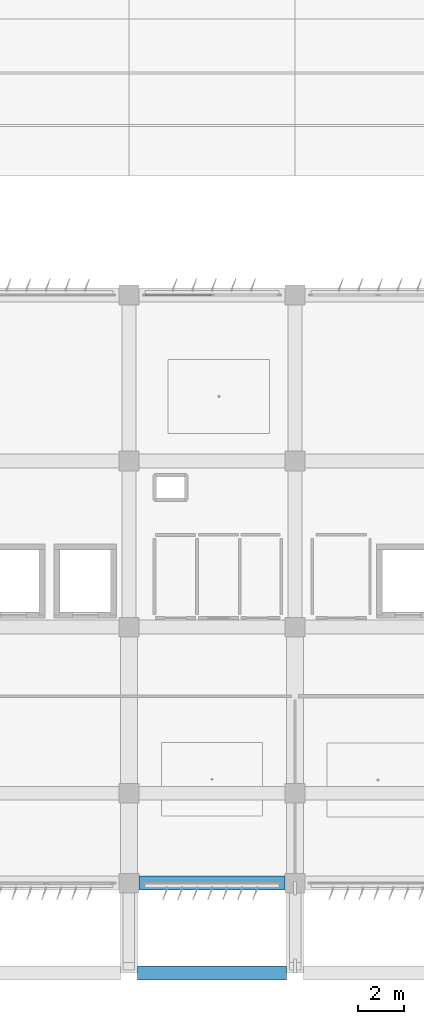
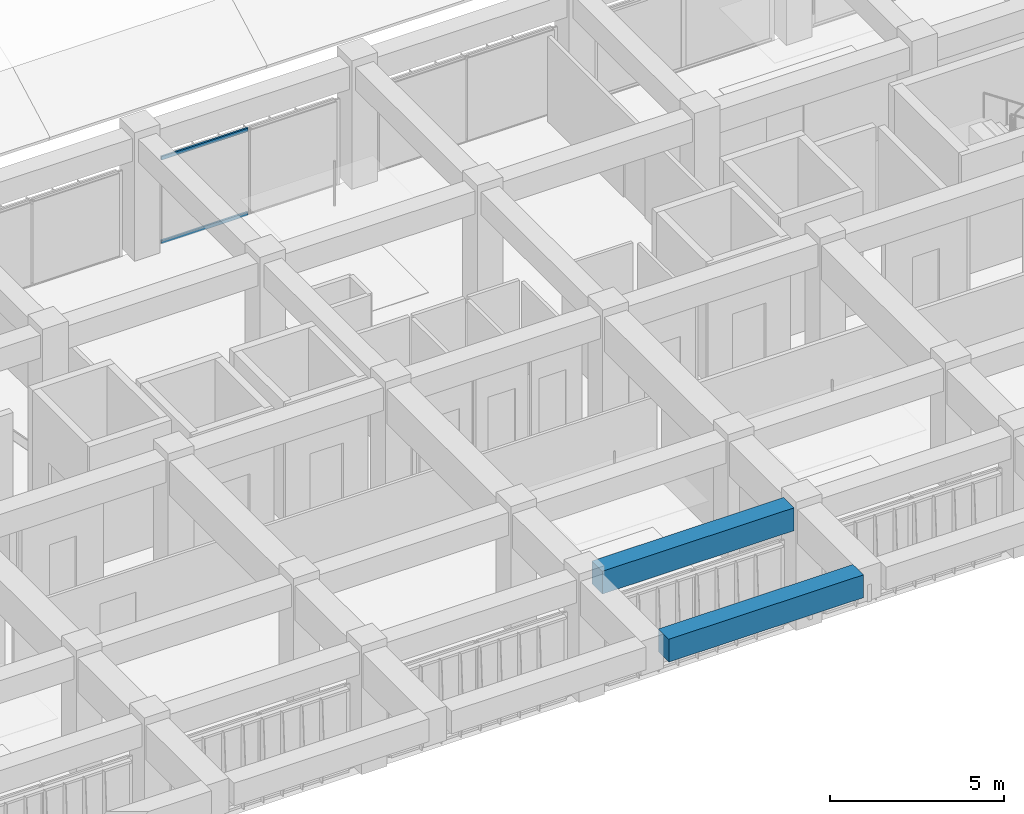
# One storey, part 15 of 56: 2 beams, 2 members, 1 element without a shape of its own.
"""IFC4 building model written with IfcOpenShell, lengths in metres."""

import ifcopenshell
import ifcopenshell.guid

model = None  # the IFC model being written
_history = None  # IfcOwnerHistory: only IFC2X3 demands one
_inside = {}  # id of a spatial element -> (the spatial element, [elements in it])
_under = {}  # id of a project, library or spatial element -> (it, [spatial elements below it])
_declared = {}  # id of a project -> (the project, [libraries it declares])
_typed = {}  # id of a type object -> (the type object, [elements of that type])
_made_of = {}  # id of a material, layer set ... -> (it, [elements and type objects made of it])


def new_model(schema):
    """Start an empty IFC model of exactly this schema.

    Asked for "IFC4X3", IfcOpenShell would pick the latest addendum, in which some entities
    have other attributes; the version numbers below select the first issue.
    IFC2X3 requires an IfcOwnerHistory on every rooted entity: one is made here for all.
    """
    global model, _history
    if schema == "IFC4X3":
        model = ifcopenshell.file(schema_version=(4, 3, 0, 0))
    else:
        model = ifcopenshell.file(schema=schema)
    _inside.clear()
    _under.clear()
    _declared.clear()
    _typed.clear()
    _made_of.clear()
    _history = None
    if model.schema == "IFC2X3":
        org = make("IfcOrganization", Name="unknown")
        user = make(
            "IfcPersonAndOrganization",
            ThePerson=make("IfcPerson", FamilyName="unknown"),
            TheOrganization=org,
        )
        app = make(
            "IfcApplication",
            ApplicationDeveloper=org,
            Version="unknown",
            ApplicationFullName="unknown",
            ApplicationIdentifier="unknown",
        )
        _history = make(
            "IfcOwnerHistory",
            OwningUser=user,
            OwningApplication=app,
            ChangeAction="ADDED",
            CreationDate=0,
        )
    return model


def make(cls, **values):
    """One entity of the class cls with the attributes given. An attribute that is None is left unset."""
    return model.create_entity(
        cls, **{name: value for name, value in values.items() if value is not None}
    )


def rooted(cls, **values):
    """An entity with a GlobalId (a new one), such as an element, a storey or a relation."""
    return make(cls, GlobalId=ifcopenshell.guid.new(), OwnerHistory=_history, **values)


def si_unit(unit_type, name, prefix=None):
    """IfcSIUnit, for example si_unit("LENGTHUNIT", "METRE", prefix="MILLI")."""
    return make("IfcSIUnit", UnitType=unit_type, Prefix=prefix, Name=name)


def assignment(units):
    """IfcUnitAssignment: the units of a project."""
    return None if units is None else make("IfcUnitAssignment", Units=units)


def point(xyz):
    """IfcCartesianPoint."""
    return None if xyz is None else make("IfcCartesianPoint", Coordinates=xyz)


def direction(xyz):
    """IfcDirection."""
    return None if xyz is None else make("IfcDirection", DirectionRatios=xyz)


def frame(location, z_axis=None, x_axis=None):
    """IfcAxis2Placement3D, a coordinate frame: its origin and axes. An axis left out is left unset."""
    return make(
        "IfcAxis2Placement3D",
        Location=point(location),
        Axis=direction(z_axis),
        RefDirection=direction(x_axis),
    )


def frame_2d(location, x_axis=None):
    """IfcAxis2Placement2D, a coordinate frame in the plane: its origin and x axis."""
    return make(
        "IfcAxis2Placement2D", Location=point(location), RefDirection=direction(x_axis)
    )


def origin():
    """The frame at (0, 0, 0) with its axes left unset."""
    return frame((0.0, 0.0, 0.0))


def origin_2d():
    """The frame at (0, 0) in the plane with its x axis left unset."""
    return frame_2d((0.0, 0.0))


def place(relative_to, where):
    """IfcLocalPlacement: puts the frame where relative to a parent placement (None: the world)."""
    return make(
        "IfcLocalPlacement", PlacementRelTo=relative_to, RelativePlacement=where
    )


def context(
    kind, dimensions, precision=None, world=None, true_north=None, identifier=None
):
    """IfcGeometricRepresentationContext, for example the 3D "Model" context."""
    return make(
        "IfcGeometricRepresentationContext",
        ContextIdentifier=identifier,
        ContextType=kind,
        CoordinateSpaceDimension=dimensions,
        Precision=precision,
        WorldCoordinateSystem=world,
        TrueNorth=true_north,
    )


def subcontext(parent, identifier, kind, view, scale=None):
    """IfcGeometricRepresentationSubContext, for example "Body" below "Model"."""
    return make(
        "IfcGeometricRepresentationSubContext",
        ContextIdentifier=identifier,
        ContextType=kind,
        ParentContext=parent,
        TargetScale=scale,
        TargetView=view,
    )


def project(units=None, contexts=None):
    """IfcProject with its units and contexts."""
    return rooted(
        "IfcProject",
        Name="project",
        RepresentationContexts=contexts,
        UnitsInContext=assignment(units),
    )


def spatial(cls, under=None, at=None, **own):
    """A site, building, storey or space (cls), placed at a placement, below another one or the project."""
    s = rooted(cls, ObjectPlacement=at, **own)
    if under is not None:
        _under.setdefault(under.id(), (under, []))[1].append(s)
    return s


def profile(cls, at=None, kind="AREA", **sizes):
    """A parametric profile (cls). Its sizes go by their IFC names, for example OverallWidth=200.0."""
    return make(cls, ProfileType=kind, Position=at, **sizes)


def rectangle(**sizes):
    """IfcRectangleProfileDef."""
    return profile("IfcRectangleProfileDef", **sizes)


def hollow_rectangle(**sizes):
    """IfcRectangleHollowProfileDef."""
    return profile("IfcRectangleHollowProfileDef", **sizes)


def extrude(swept, where, along, depth):
    """IfcExtrudedAreaSolid: the profile swept, set in the frame where, extruded along a direction by depth."""
    return make(
        "IfcExtrudedAreaSolid",
        SweptArea=swept,
        Position=where,
        ExtrudedDirection=direction(along),
        Depth=depth,
    )


def shape(context_of_items, identifier, shape_type, items):
    """IfcShapeRepresentation: the items that make up one representation, for example the "Body"."""
    return make(
        "IfcShapeRepresentation",
        ContextOfItems=context_of_items,
        RepresentationIdentifier=identifier,
        RepresentationType=shape_type,
        Items=items,
    )


def material(Name=None, Category=None):
    """IfcMaterial."""
    return make("IfcMaterial", Name=Name, Category=Category)


def material_profile(
    of_material, cross_section, Name=None, Category=None, Priority=None
):
    """IfcMaterialProfile: a cross section and its material."""
    return make(
        "IfcMaterialProfile",
        Name=Name,
        Material=of_material,
        Profile=cross_section,
        Priority=Priority,
        Category=Category,
    )


def profile_set(profiles, Name=None, composite=None):
    """IfcMaterialProfileSet."""
    return make(
        "IfcMaterialProfileSet",
        Name=Name,
        MaterialProfiles=profiles,
        CompositeProfile=composite,
    )


def made_of(thing, what):
    """Note that an element or type object is made of a material, layer set ...; save() writes the relation."""
    if what is not None:
        _made_of.setdefault(what.id(), (what, []))[1].append(thing)
    return thing


def type_object(cls, material=None, **own):
    """A type object (cls), such as IfcWallType, which elements share."""
    return made_of(rooted(cls, **own), material)


def element(
    cls,
    number,
    at=None,
    inside=None,
    cuts=None,
    type_object=None,
    material=None,
    context=None,
    identifier="Body",
    shape_type=None,
    held_by="IfcProductDefinitionShape",
    body=None,
    shapes=None,
    **own,
):
    """One element of the class cls, such as IfcWall. Its Tag is "e" and its number.

    at: its placement. inside: the storey or other place that contains it. cuts: it is an
    opening in that element (IfcRelVoidsElement). A single representation is given by context,
    identifier, shape_type and body (its items); several are given by shapes. held_by: the class
    of the entity that holds the representations. save() writes the other relations.
    """
    e = rooted(cls, Tag="e%d" % number, ObjectPlacement=at, **own)
    if body is not None:
        shapes = [shape(context, identifier, shape_type, body)]
    if shapes is not None:
        e.Representation = make(held_by, Representations=shapes)
    if inside is not None:
        _inside.setdefault(inside.id(), (inside, []))[1].append(e)
    if cuts is not None:
        rooted(
            "IfcRelVoidsElement", RelatingBuildingElement=cuts, RelatedOpeningElement=e
        )
    if type_object is not None:
        _typed.setdefault(type_object.id(), (type_object, []))[1].append(e)
    return made_of(e, material)


def aggregate(whole, parts):
    """IfcRelAggregates: a whole, such as a stair, and the parts it consists of."""
    return rooted("IfcRelAggregates", RelatingObject=whole, RelatedObjects=parts)


def save(model, path):
    """Write the relations noted so far, then the file.

    IfcRelAggregates (storeys below a building ...), IfcRelContainedInSpatialStructure (elements
    in a storey), IfcRelDefinesByType, IfcRelAssociatesMaterial and IfcRelDeclares: one each for
    every whole, place, type object, material and project.
    """
    for whole, parts in _under.values():
        aggregate(whole, parts)
    for where, things in _inside.values():
        rooted(
            "IfcRelContainedInSpatialStructure",
            RelatedElements=things,
            RelatingStructure=where,
        )
    for kind, things in _typed.values():
        rooted("IfcRelDefinesByType", RelatedObjects=things, RelatingType=kind)
    for what, things in _made_of.values():
        rooted("IfcRelAssociatesMaterial", RelatedObjects=things, RelatingMaterial=what)
    for by, libraries in _declared.values():
        rooted("IfcRelDeclares", RelatingContext=by, RelatedDefinitions=libraries)
    model.write(path)


model = new_model("IFC4")

# Units and contexts
model_context = context("Model", 3, precision=1e-05, world=origin(), true_north=direction((0.0, 1.0)))
body_context = subcontext(model_context, "Body", "Model", "MODEL_VIEW")
ifc_project = project(units=[si_unit("LENGTHUNIT", "METRE"), si_unit("AREAUNIT", "SQUARE_METRE"), si_unit("VOLUMEUNIT", "CUBIC_METRE"), si_unit("PLANEANGLEUNIT", "RADIAN"), si_unit("MASSUNIT", "GRAM", prefix="KILO")], contexts=[model_context])

# Site, building, storey
site_placement = place(None, origin())
site = spatial("IfcSite", under=ifc_project, at=site_placement, CompositionType="ELEMENT")
building_placement = place(site_placement, origin())
building = spatial("IfcBuilding", under=site, at=building_placement, Name="Kazehaya Institute of Natural Sciences", CompositionType="ELEMENT")
storey_placement = place(building_placement, frame((0.0, 0.0, 24.300048828125)))
storey = spatial("IfcBuildingStorey", under=building, at=storey_placement, Name="L05", CompositionType="ELEMENT", Elevation=24.300048828125)

# Beams
ifc_material_1 = material(Name="Concrete Fc36", Category="concrete")
ifc_material_profile_1 = material_profile(ifc_material_1, rectangle(XDim=0.60009765625, YDim=0.800048828125, at=origin_2d()), Name="RC-600x800")
ifc_profile_set_1 = profile_set([ifc_material_profile_1], Name="Concrete Fc36")
beam_type = type_object("IfcBeamType", Name="BM-G-600x800", PredefinedType="BEAM", material=ifc_profile_set_1)
beam_1_placement = place(storey_placement, frame((83.77490234375, 6.199951171875, 3.829833984375), z_axis=(1.0, 0.0, 0.0), x_axis=(0.0, 1.0, 0.0)))
element("IfcBeam", 1, at=beam_1_placement, inside=storey, type_object=beam_type, Name="L05 primary X girder BMX-L05-834-62", PredefinedType="BEAM", context=body_context, shape_type="SweptSolid", body=[
    extrude(rectangle(XDim=0.60009765625, YDim=0.800048828125, at=origin_2d()), origin(), (0.0, 0.0, 1.0), 6.4501953125),
])
beam_2_placement = place(storey_placement, frame((83.824951171875, 10.10009765625, 3.829833984375), z_axis=(1.0, 0.0, 0.0), x_axis=(0.0, 1.0, 0.0)))
element("IfcBeam", 2, at=beam_2_placement, inside=storey, type_object=beam_type, Name="L05 primary X girder BMX-L05-834-101", PredefinedType="BEAM", context=body_context, shape_type="SweptSolid", body=[
    extrude(rectangle(XDim=0.60009765625, YDim=0.800048828125, at=origin_2d()), origin(), (0.0, 0.0, 1.0), 6.35009765625),
])

# Curtain wall, members
ifc_material_2 = material(Name="Aluminium alloy A6063S-T5", Category="aluminium")
curtain_wall_type = type_object("IfcCurtainWallType", Name="CW-SYS-04", PredefinedType="NOTDEFINED", material=ifc_material_2)
curtain_wall_placement = place(storey_placement, origin())
curtain_wall = element("IfcCurtainWall", 3, at=curtain_wall_placement, inside=storey, type_object=curtain_wall_type, Name="L05 unitised curtain wall CW-L05-107", PredefinedType="NOTDEFINED")
ifc_material_profile_2 = material_profile(ifc_material_2, hollow_rectangle(XDim=0.06005859375, YDim=0.1201171875, WallThickness=0.00341796875, at=origin_2d()), Name="ALU-60x120x3.5")
ifc_profile_set_2 = profile_set([ifc_material_profile_2], Name="Aluminium alloy A6063S-T5")
member_type = type_object("IfcMemberType", Name="CWT-120", PredefinedType="USERDEFINED", material=ifc_profile_set_2)
member_1_placement = place(storey_placement, frame((84.10009765625, 35.60009765625, 0.030029296875), z_axis=(1.0, 0.0, 0.0), x_axis=(0.0, 1.0, 0.0)))
member_1 = element("IfcMember", 4, at=member_1_placement, type_object=member_type, Name="CW04 transom 1.1", ObjectType="TRANSOM", PredefinedType="USERDEFINED", context=body_context, shape_type="SweptSolid", body=[
    extrude(hollow_rectangle(XDim=0.06005859375, YDim=0.1201171875, WallThickness=0.00341796875, at=origin_2d()), origin(), (0.0, 0.0, 1.0), 2.869873046875),
])
member_2_placement = place(storey_placement, frame((84.10009765625, 35.60009765625, 2.969970703125), z_axis=(1.0, 0.0, 0.0), x_axis=(0.0, 1.0, 0.0)))
member_2 = element("IfcMember", 5, at=member_2_placement, type_object=member_type, Name="CW04 transom 1.2", ObjectType="TRANSOM", PredefinedType="USERDEFINED", context=body_context, shape_type="SweptSolid", body=[
    extrude(hollow_rectangle(XDim=0.06005859375, YDim=0.1201171875, WallThickness=0.00341796875, at=origin_2d()), origin(), (0.0, 0.0, 1.0), 2.869873046875),
])
aggregate(curtain_wall, [member_1, member_2])

save(model, "model.ifc")
